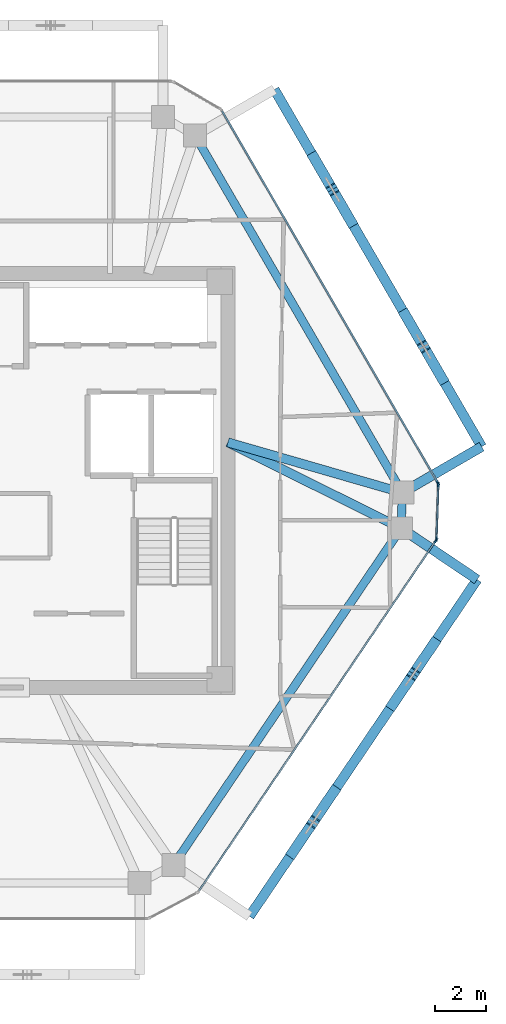
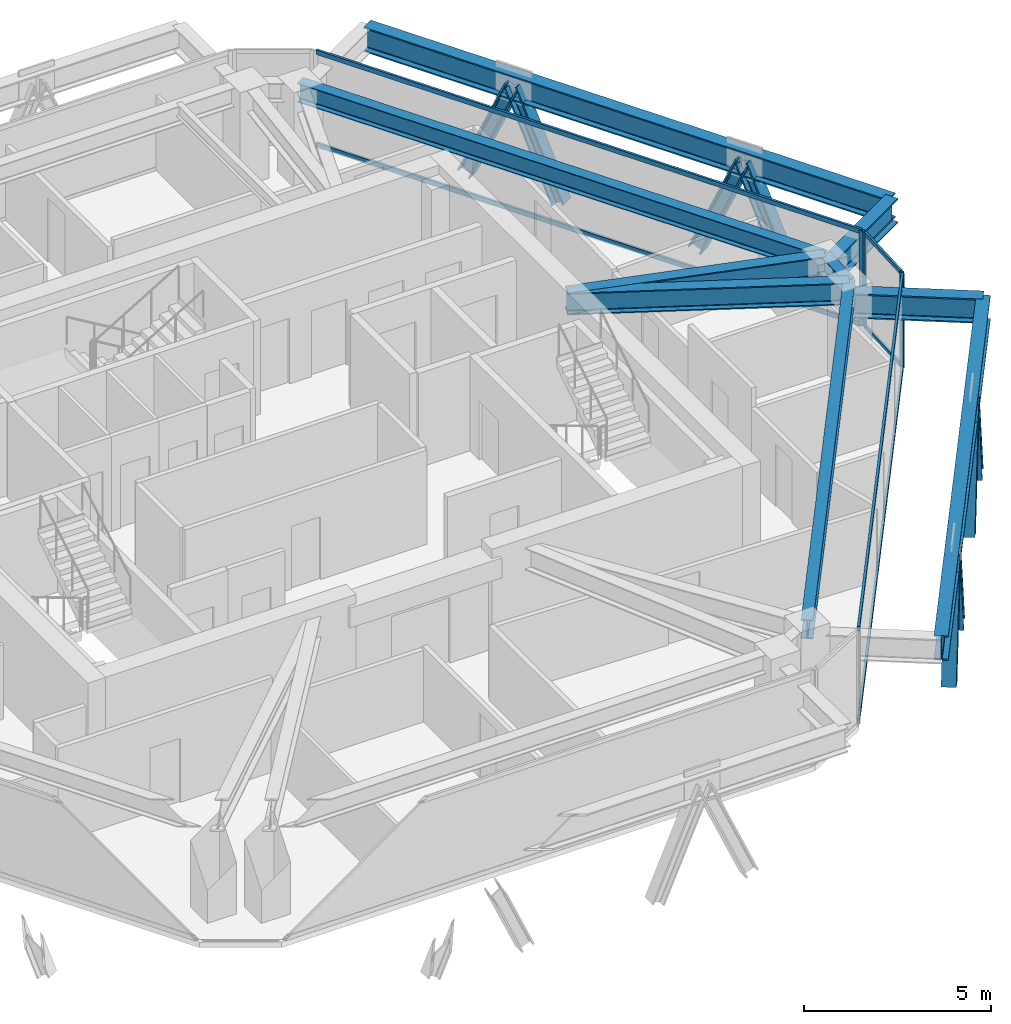
# One storey, part 5 of 14: 18 members, 9 beams, 3 elements without a shape of their own.
"""IFC4 building model written with IfcOpenShell, lengths in metres."""

from ifc_helpers import new_model, si_unit, direction, frame, origin, origin_2d, place, context, subcontext, project, spatial, rectangle, i_section, extrude, source, transform, mapped, material, layer, layer_set, material_profile, profile_set, type_object, type_shapes, element, aggregate, save


model = new_model("IFC4")

# Units and contexts
model_context = context("Model", 3, precision=1e-05, world=origin(), true_north=direction((0.0, 1.0)))
body_context = subcontext(model_context, "Body", "Model", "MODEL_VIEW")
ifc_project = project(units=[si_unit("LENGTHUNIT", "METRE"), si_unit("AREAUNIT", "SQUARE_METRE"), si_unit("VOLUMEUNIT", "CUBIC_METRE"), si_unit("PLANEANGLEUNIT", "RADIAN"), si_unit("MASSUNIT", "GRAM", prefix="KILO")], contexts=[model_context])

# Site, building, storey
site_placement = place(None, origin())
site = spatial("IfcSite", under=ifc_project, at=site_placement, CompositionType="ELEMENT")
building_placement = place(site_placement, origin())
building = spatial("IfcBuilding", under=site, at=building_placement, Name="Durnholm Broadcast Tower", CompositionType="ELEMENT")
storey_placement = place(building_placement, frame((0.0, 0.0, 261.5)))
storey = spatial("IfcBuildingStorey", under=building, at=storey_placement, Name="L73", CompositionType="ELEMENT", Elevation=261.5)

# Beams
ifc_material_1 = material(Name="Steel ASTM A992 Grade 50", Category="steel")
ifc_material_profile_1 = material_profile(ifc_material_1, i_section(OverallWidth=0.385009765625, OverallDepth=0.802978515625, WebThickness=0.023681640625, FlangeThickness=0.0419921875, FilletRadius=0.032958984375, at=origin_2d()), Name="W30X261")
ifc_profile_set_1 = profile_set([ifc_material_profile_1], Name="Steel ASTM A992 Grade 50")
beam_type_1 = type_object("IfcBeamType", Name="BM-EXO-TIE", PredefinedType="USERDEFINED", material=ifc_profile_set_1)
shared_shape_1 = source(origin(), body_context, "Body", "SweptSolid", [
    extrude(i_section(OverallWidth=0.385009765625, OverallDepth=0.802978515625, WebThickness=0.023681640625, FlangeThickness=0.0419921875, FilletRadius=0.032958984375, at=origin_2d()), origin(), (0.0, 0.0, 1.0), 3.4560546875),
])
beam_1_placement = place(storey_placement, frame((17.0947265625, -0.40380859375, 2.348388671875), z_axis=(0.864924479231, 0.501902027518, 0.0), x_axis=(-0.501902027518, 0.864924479231, 0.0)))
element("IfcBeam", 1, at=beam_1_placement, inside=storey, type_object=beam_type_1, Name="L73 exoskeleton stand-off tie bracket F3.1", ObjectType="GIRDER", PredefinedType="USERDEFINED", context=body_context, shape_type="MappedRepresentation", body=[
    mapped(shared_shape_1, transform((0.0, 0.0, 0.0), x_axis=(1.0, 0.0, 0.0), y_axis=(0.0, 1.0, 0.0), z_axis=(0.0, 0.0, 1.0), scale=1.0)),
])
shared_shape_2 = source(origin(), body_context, "Body", "SweptSolid", [
    extrude(i_section(OverallWidth=0.385009765625, OverallDepth=0.802978515625, WebThickness=0.023681640625, FlangeThickness=0.0419921875, FilletRadius=0.032958984375, at=origin_2d()), origin(), (0.0, 0.0, 1.0), 3.455810546875),
])
beam_2_placement = place(storey_placement, frame((17.041748046875, -1.95068359375, 2.348388671875), z_axis=(0.828446342252, -0.560068440469, 0.0), x_axis=(0.560068440469, 0.828446342252, 0.0)))
element("IfcBeam", 2, at=beam_2_placement, inside=storey, type_object=beam_type_1, Name="L73 exoskeleton stand-off tie bracket F2.2", ObjectType="GIRDER", PredefinedType="USERDEFINED", context=body_context, shape_type="MappedRepresentation", body=[
    mapped(shared_shape_2, transform((0.0, 0.0, 0.0), x_axis=(1.0, 0.0, 0.0), y_axis=(0.0, 1.0, 0.0), z_axis=(0.0, 0.0, 1.0), scale=1.0)),
])
ifc_material_profile_2 = material_profile(ifc_material_1, i_section(OverallWidth=0.3251953125, OverallDepth=0.6162109375, WebThickness=0.013916015625, FlangeThickness=0.021484375, FilletRadius=0.02783203125, at=origin_2d()), Name="W24X117")
ifc_profile_set_2 = profile_set([ifc_material_profile_2], Name="Steel ASTM A992 Grade 50")
beam_type_2 = type_object("IfcBeamType", Name="STL-SP-W24X117", PredefinedType="SPANDREL", material=ifc_profile_set_2)
shared_shape_3 = source(origin(), body_context, "Body", "SweptSolid", [
    extrude(i_section(OverallWidth=0.3251953125, OverallDepth=0.6162109375, WebThickness=0.013916015625, FlangeThickness=0.021484375, FilletRadius=0.02783203125, at=origin_2d()), origin(), (0.0, 0.0, 1.0), 1.39453125),
])
beam_3_placement = place(storey_placement, frame((16.97021484375, -0.47607421875, 2.77685546875), z_axis=(-0.034311541846, -0.999411185697, 0.0), x_axis=(0.999411185697, -0.034311541846, 0.0)))
element("IfcBeam", 3, at=beam_3_placement, inside=storey, type_object=beam_type_2, Name="L73 perimeter spandrel girder 08", PredefinedType="SPANDREL", context=body_context, shape_type="MappedRepresentation", body=[
    mapped(shared_shape_3, transform((0.0, 0.0, 0.0), x_axis=(1.0, 0.0, 0.0), y_axis=(0.0, 1.0, 0.0), z_axis=(0.0, 0.0, 1.0), scale=1.0)),
])
shared_shape_4 = source(origin(), body_context, "Body", "SweptSolid", [
    extrude(i_section(OverallWidth=0.3251953125, OverallDepth=0.6162109375, WebThickness=0.013916015625, FlangeThickness=0.021484375, FilletRadius=0.02783203125, at=origin_2d()), origin(), (0.0, 0.0, 1.0), 15.947265625),
])
beam_4_placement = place(storey_placement, frame((16.92236328125, -1.869873046875, 2.77685546875), z_axis=(-0.560062212489, -0.828450552623, 0.0), x_axis=(0.828450552623, -0.560062212489, 0.0)))
element("IfcBeam", 4, at=beam_4_placement, inside=storey, type_object=beam_type_2, Name="L73 perimeter spandrel girder 09", PredefinedType="SPANDREL", context=body_context, shape_type="MappedRepresentation", body=[
    mapped(shared_shape_4, transform((0.0, 0.0, 0.0), x_axis=(1.0, 0.0, 0.0), y_axis=(0.0, 1.0, 0.0), z_axis=(0.0, 0.0, 1.0), scale=1.0)),
])
shared_shape_5 = source(origin(), body_context, "Body", "SweptSolid", [
    extrude(i_section(OverallWidth=0.3251953125, OverallDepth=0.6162109375, WebThickness=0.013916015625, FlangeThickness=0.021484375, FilletRadius=0.02783203125, at=origin_2d()), origin(), (0.0, 0.0, 1.0), 16.20263671875),
])
type_shapes(beam_type_2, [shared_shape_3, shared_shape_4, shared_shape_5])
beam_5_placement = place(storey_placement, frame((8.83740234375, 13.53759765625, 2.77685546875), z_axis=(0.501943573333, -0.864900369516, 0.0), x_axis=(0.864900369516, 0.501943573333, 0.0)))
element("IfcBeam", 5, at=beam_5_placement, inside=storey, type_object=beam_type_2, Name="L73 perimeter spandrel girder 07", PredefinedType="SPANDREL", context=body_context, shape_type="MappedRepresentation", body=[
    mapped(shared_shape_5, transform((0.0, 0.0, 0.0), x_axis=(1.0, 0.0, 0.0), y_axis=(0.0, 1.0, 0.0), z_axis=(0.0, 0.0, 1.0), scale=1.0)),
])
shared_shape_6 = source(origin(), body_context, "Body", "SweptSolid", [
    extrude(i_section(OverallWidth=0.385009765625, OverallDepth=0.802978515625, WebThickness=0.023681640625, FlangeThickness=0.0419921875, FilletRadius=0.032958984375, at=origin_2d()), origin(), (0.0, 0.0, 1.0), 15.947021484375),
])
beam_6_placement = place(storey_placement, frame((10.973388671875, -17.097412109375, 2.348388671875), z_axis=(0.560069315853, 0.828445750451, 0.0), x_axis=(-0.828445750451, 0.560069315853, 0.0)))
element("IfcBeam", 6, at=beam_6_placement, inside=storey, type_object=beam_type_1, Name="L73 exoskeleton collector spandrel F2", PredefinedType="SPANDREL", context=body_context, shape_type="MappedRepresentation", body=[
    mapped(shared_shape_6, transform((0.0, 0.0, 0.0), x_axis=(1.0, 0.0, 0.0), y_axis=(0.0, 1.0, 0.0), z_axis=(0.0, 0.0, 1.0), scale=1.0)),
])
shared_shape_7 = source(origin(), body_context, "Body", "SweptSolid", [
    extrude(i_section(OverallWidth=0.385009765625, OverallDepth=0.802978515625, WebThickness=0.023681640625, FlangeThickness=0.0419921875, FilletRadius=0.032958984375, at=origin_2d()), origin(), (0.0, 0.0, 1.0), 16.202880859375),
])
type_shapes(beam_type_1, [shared_shape_1, shared_shape_2, shared_shape_6, shared_shape_7])
beam_7_placement = place(storey_placement, frame((20.083984375, 1.330810546875, 2.348388671875), z_axis=(-0.501948303381, 0.864897624423, 0.0), x_axis=(-0.864897624423, -0.501948303381, 0.0)))
element("IfcBeam", 7, at=beam_7_placement, inside=storey, type_object=beam_type_1, Name="L73 exoskeleton collector spandrel F3", PredefinedType="SPANDREL", context=body_context, shape_type="MappedRepresentation", body=[
    mapped(shared_shape_7, transform((0.0, 0.0, 0.0), x_axis=(1.0, 0.0, 0.0), y_axis=(0.0, 1.0, 0.0), z_axis=(0.0, 0.0, 1.0), scale=1.0)),
])
ifc_material_profile_3 = material_profile(ifc_material_1, i_section(OverallWidth=0.3564453125, OverallDepth=0.713623046875, WebThickness=0.01904296875, FlangeThickness=0.033935546875, FilletRadius=0.030517578125, at=origin_2d()), Name="W27X194")
ifc_profile_set_3 = profile_set([ifc_material_profile_3], Name="Steel ASTM A992 Grade 50")
beam_type_3 = type_object("IfcBeamType", Name="STL-GR-W27X194", PredefinedType="USERDEFINED", material=ifc_profile_set_3)
shared_shape_8 = source(origin(), body_context, "Body", "SweptSolid", [
    extrude(i_section(OverallWidth=0.3564453125, OverallDepth=0.713623046875, WebThickness=0.01904296875, FlangeThickness=0.033935546875, FilletRadius=0.030517578125, at=origin_2d()), origin(), (0.0, 0.0, 1.0), 7.124755859375),
])
beam_8_placement = place(storey_placement, frame((10.125, 1.5, 2.728271484375), z_axis=(0.960767767054, -0.277354101809, 0.0), x_axis=(0.277354101809, 0.960767767054, 0.0)))
element("IfcBeam", 8, at=beam_8_placement, inside=storey, type_object=beam_type_3, Name="L73 radial primary floor girder 08", ObjectType="GIRDER", PredefinedType="USERDEFINED", context=body_context, shape_type="MappedRepresentation", body=[
    mapped(shared_shape_8, transform((0.0, 0.0, 0.0), x_axis=(1.0, 0.0, 0.0), y_axis=(0.0, 1.0, 0.0), z_axis=(0.0, 0.0, 1.0), scale=1.0)),
])
shared_shape_9 = source(origin(), body_context, "Body", "SweptSolid", [
    extrude(i_section(OverallWidth=0.3564453125, OverallDepth=0.713623046875, WebThickness=0.01904296875, FlangeThickness=0.033935546875, FilletRadius=0.030517578125, at=origin_2d()), origin(), (0.0, 0.0, 1.0), 7.5869140625),
])
type_shapes(beam_type_3, [shared_shape_8, shared_shape_9])
beam_9_placement = place(storey_placement, frame((10.125, 1.5, 2.728271484375), z_axis=(0.895940903598, -0.444173273916, 0.0), x_axis=(0.444173273916, 0.895940903598, 0.0)))
element("IfcBeam", 9, at=beam_9_placement, inside=storey, type_object=beam_type_3, Name="L73 radial primary floor girder 09", ObjectType="GIRDER", PredefinedType="USERDEFINED", context=body_context, shape_type="MappedRepresentation", body=[
    mapped(shared_shape_9, transform((0.0, 0.0, 0.0), x_axis=(1.0, 0.0, 0.0), y_axis=(0.0, 1.0, 0.0), z_axis=(0.0, 0.0, 1.0), scale=1.0)),
])

# Members
ifc_material_2 = material(Name="Steel ASTM A913 Grade 65", Category="steel")
ifc_material_profile_4 = material_profile(ifc_material_2, i_section(OverallWidth=0.40625, OverallDepth=0.416015625, WebThickness=0.02978515625, FlangeThickness=0.048095703125, FilletRadius=0.030517578125, at=origin_2d()), Name="W14X257")
ifc_profile_set_4 = profile_set([ifc_material_profile_4], Name="Steel ASTM A913 Grade 65")
member_type_1 = type_object("IfcMemberType", Name="STL-DG-W14X257", PredefinedType="BRACE", material=ifc_profile_set_4)
shared_shape_10 = source(origin(), body_context, "Body", "SweptSolid", [
    extrude(i_section(OverallWidth=0.40625, OverallDepth=0.416015625, WebThickness=0.02978515625, FlangeThickness=0.048095703125, FilletRadius=0.030517578125, at=origin_2d()), origin(), (0.0, 0.0, 1.0), 3.644287109375),
])
type_shapes(member_type_1, [shared_shape_10])
for number, where, z_axis, x_axis, name in (
    (10, (12.657470703125, -14.6064453125, -0.991455078125), (0.224086200868, 0.331540391059, 0.916442220588), (-0.828505003222, 0.559981660089, 0.0), "L73 stand-off diagrid brace F2.D1.1"),
    (11, (14.290771484375, -12.190185546875, -0.991455078125), (-0.224091177564, -0.331480761311, 0.916462573714), (0.828452496411, -0.560059337206, 0.0), "L73 stand-off diagrid brace F2.D1.2"),
    (12, (16.58740234375, -8.79345703125, -0.991455078125), (0.224086200868, 0.331540391059, 0.916442220588), (-0.828505003222, 0.559981660089, 0.0), "L73 stand-off diagrid brace F2.D2.1"),
    (13, (18.220703125, -6.377197265625, -0.991455078125), (-0.224091177564, -0.331480761311, 0.916462573714), (0.828452496411, -0.560059337206, 0.0), "L73 stand-off diagrid brace F2.D2.2"),
    (14, (18.53857421875, 3.99365234375, -0.991455078125), (-0.200842922221, 0.346082233553, 0.916454695123), (-0.864906184135, -0.501933554014, 0.0), "L73 stand-off diagrid brace F3.D1.1"),
    (15, (17.07470703125, 6.51611328125, -0.991455078125), (0.200842922221, -0.346082233553, 0.916454695123), (0.864906184135, 0.501933554014, 0.0), "L73 stand-off diagrid brace F3.D1.2"),
    (16, (14.960205078125, 10.15966796875, -0.991455078125), (-0.200842922221, 0.346082233553, 0.916454695123), (-0.864906184135, -0.501933554014, 0.0), "L73 stand-off diagrid brace F3.D2.1"),
    (17, (13.496337890625, 12.681884765625, -0.991455078125), (0.200847578444, -0.346023263063, 0.916475941666), (0.864863994925, 0.502006245263, 0.0), "L73 stand-off diagrid brace F3.D2.2"),
):
    element("IfcMember", number, at=place(storey_placement, frame(where, z_axis=z_axis, x_axis=x_axis)), inside=storey, type_object=member_type_1, Name=name, PredefinedType="BRACE", context=body_context, shape_type="MappedRepresentation", body=[
        mapped(shared_shape_10, transform((0.0, 0.0, 0.0), x_axis=(1.0, 0.0, 0.0), y_axis=(0.0, 1.0, 0.0), z_axis=(0.0, 0.0, 1.0), scale=1.0)),
    ])

# Curtain wall, members
ifc_material_3 = material(Name="Aluminium and Solar Control IGU", Category="aluminium")
ifc_layer_1 = layer(ifc_material_3, 0.1650390625)
ifc_layer_set_1 = layer_set([ifc_layer_1], Name="Aluminium and Solar Control IGU")
curtain_wall_type_1 = type_object("IfcCurtainWallType", Name="CW-SYS-5", PredefinedType="NOTDEFINED", material=ifc_layer_set_1)
curtain_wall_1_placement = place(storey_placement, origin())
curtain_wall_1 = element("IfcCurtainWall", 18, at=curtain_wall_1_placement, inside=storey, type_object=curtain_wall_type_1, Name="L73 curtain wall CW-CORNER CW-L73-CRN-07", PredefinedType="NOTDEFINED")
ifc_material_4 = material(Name="Aluminium 6063-T6", Category="aluminium")
ifc_material_profile_5 = material_profile(ifc_material_4, rectangle(XDim=0.06494140625, YDim=0.1298828125, at=origin_2d()), Name="CWT65X130")
ifc_profile_set_5 = profile_set([ifc_material_profile_5], Name="Aluminium 6063-T6")
member_type_2 = type_object("IfcMemberType", Name="CW-SYS-5-TRN", PredefinedType="USERDEFINED", material=ifc_profile_set_5)
shared_shape_11 = source(origin(), body_context, "Body", "SweptSolid", [
    extrude(rectangle(XDim=0.06494140625, YDim=0.1298828125, at=origin_2d()), origin(), (0.0, 0.0, 1.0), 2.06982421875),
])
type_shapes(member_type_2, [shared_shape_11])
member_1_placement = place(storey_placement, frame((18.381103515625, -0.186767578125, 0.032470703125), z_axis=(-0.034324150719, -0.999410752733, 0.0), x_axis=(0.999410752733, -0.034324150719, 0.0)))
member_1 = element("IfcMember", 19, at=member_1_placement, type_object=member_type_2, Name="CW-CORNER transom 1.1", ObjectType="TRANSOM", PredefinedType="USERDEFINED", context=body_context, shape_type="MappedRepresentation", body=[
    mapped(shared_shape_11, transform((0.0, 0.0, 0.0), x_axis=(1.0, 0.0, 0.0), y_axis=(0.0, 1.0, 0.0), z_axis=(0.0, 0.0, 1.0), scale=1.0)),
])
member_2_placement = place(storey_placement, frame((18.381103515625, -0.186767578125, 3.0673828125), z_axis=(-0.034324150719, -0.999410752733, 0.0), x_axis=(0.999410752733, -0.034324150719, 0.0)))
member_2 = element("IfcMember", 20, at=member_2_placement, type_object=member_type_2, Name="CW-CORNER transom 1.2", ObjectType="TRANSOM", PredefinedType="USERDEFINED", context=body_context, shape_type="MappedRepresentation", body=[
    mapped(shared_shape_11, transform((0.0, 0.0, 0.0), x_axis=(1.0, 0.0, 0.0), y_axis=(0.0, 1.0, 0.0), z_axis=(0.0, 0.0, 1.0), scale=1.0)),
])

ifc_layer_2 = layer(ifc_material_3, 0.18994140625)
ifc_layer_set_2 = layer_set([ifc_layer_2], Name="Aluminium and Solar Control IGU")
curtain_wall_type_2 = type_object("IfcCurtainWallType", Name="CW-SYS-4", PredefinedType="NOTDEFINED", material=ifc_layer_set_2)
curtain_wall_2_placement = place(storey_placement, origin())
curtain_wall_2 = element("IfcCurtainWall", 21, at=curtain_wall_2_placement, inside=storey, type_object=curtain_wall_type_2, Name="L73 curtain wall CW-Z34-VIS CW-L73-F08", PredefinedType="NOTDEFINED")
ifc_material_profile_6 = material_profile(ifc_material_4, rectangle(XDim=0.070068359375, YDim=0.14990234375, at=origin_2d()), Name="CWT70X150")
ifc_profile_set_6 = profile_set([ifc_material_profile_6], Name="Aluminium 6063-T6")
member_type_3 = type_object("IfcMemberType", Name="CW-SYS-4-TRN", PredefinedType="USERDEFINED", material=ifc_profile_set_6)
shared_shape_12 = source(origin(), body_context, "Body", "SweptSolid", [
    extrude(rectangle(XDim=0.070068359375, YDim=0.14990234375, at=origin_2d()), origin(), (0.0, 0.0, 1.0), 16.55859375),
])
member_3_placement = place(storey_placement, frame((18.2685546875, -2.37841796875, 0.034912109375), z_axis=(-0.560071338091, -0.828444383317, 0.0), x_axis=(0.828444383317, -0.560071338091, 0.0)))
member_3 = element("IfcMember", 22, at=member_3_placement, type_object=member_type_3, Name="CW-Z34-VIS transom 1.1", ObjectType="TRANSOM", PredefinedType="USERDEFINED", context=body_context, shape_type="MappedRepresentation", body=[
    mapped(shared_shape_12, transform((0.0, 0.0, 0.0), x_axis=(1.0, 0.0, 0.0), y_axis=(0.0, 1.0, 0.0), z_axis=(0.0, 0.0, 1.0), scale=1.0)),
])
member_4_placement = place(storey_placement, frame((18.2685546875, -2.37841796875, 3.06494140625), z_axis=(-0.560071338091, -0.828444383317, 0.0), x_axis=(0.828444383317, -0.560071338091, 0.0)))
member_4 = element("IfcMember", 23, at=member_4_placement, type_object=member_type_3, Name="CW-Z34-VIS transom 1.2", ObjectType="TRANSOM", PredefinedType="USERDEFINED", context=body_context, shape_type="MappedRepresentation", body=[
    mapped(shared_shape_12, transform((0.0, 0.0, 0.0), x_axis=(1.0, 0.0, 0.0), y_axis=(0.0, 1.0, 0.0), z_axis=(0.0, 0.0, 1.0), scale=1.0)),
])

curtain_wall_3_placement = place(storey_placement, origin())
curtain_wall_3 = element("IfcCurtainWall", 24, at=curtain_wall_3_placement, inside=storey, type_object=curtain_wall_type_2, Name="L73 curtain wall CW-Z34-VIS CW-L73-F06", PredefinedType="NOTDEFINED")
shared_shape_13 = source(origin(), body_context, "Body", "SweptSolid", [
    extrude(rectangle(XDim=0.070068359375, YDim=0.14990234375, at=origin_2d()), origin(), (0.0, 0.0, 1.0), 16.83984375),
])
type_shapes(member_type_3, [shared_shape_12, shared_shape_13])
member_5_placement = place(storey_placement, frame((9.8955078125, 14.503662109375, 0.034912109375), z_axis=(0.501945239029, -0.86489940283, 0.0), x_axis=(0.86489940283, 0.501945239029, 0.0)))
member_5 = element("IfcMember", 25, at=member_5_placement, type_object=member_type_3, Name="CW-Z34-VIS transom 1.1", ObjectType="TRANSOM", PredefinedType="USERDEFINED", context=body_context, shape_type="MappedRepresentation", body=[
    mapped(shared_shape_13, transform((0.0, 0.0, 0.0), x_axis=(1.0, 0.0, 0.0), y_axis=(0.0, 1.0, 0.0), z_axis=(0.0, 0.0, 1.0), scale=1.0)),
])
member_6_placement = place(storey_placement, frame((9.8955078125, 14.503662109375, 3.06494140625), z_axis=(0.501945239029, -0.86489940283, 0.0), x_axis=(0.86489940283, 0.501945239029, 0.0)))
member_6 = element("IfcMember", 26, at=member_6_placement, type_object=member_type_3, Name="CW-Z34-VIS transom 1.2", ObjectType="TRANSOM", PredefinedType="USERDEFINED", context=body_context, shape_type="MappedRepresentation", body=[
    mapped(shared_shape_13, transform((0.0, 0.0, 0.0), x_axis=(1.0, 0.0, 0.0), y_axis=(0.0, 1.0, 0.0), z_axis=(0.0, 0.0, 1.0), scale=1.0)),
])

# Member
ifc_material_profile_7 = material_profile(ifc_material_4, rectangle(XDim=0.06494140625, YDim=0.1650390625, at=origin_2d()), Name="CWM65X165")
ifc_profile_set_7 = profile_set([ifc_material_profile_7], Name="Aluminium 6063-T6")
member_type_4 = type_object("IfcMemberType", Name="CW-SYS-5-MUL", PredefinedType="MULLION", material=ifc_profile_set_7)
shared_shape_14 = source(origin(), body_context, "Body", "SweptSolid", [
    extrude(rectangle(XDim=0.06494140625, YDim=0.1650390625, at=origin_2d()), origin(), (0.0, 0.0, 1.0), 3.10009765625),
])
type_shapes(member_type_4, [shared_shape_14])
member_7_placement = place(storey_placement, frame((18.382080078125, -0.154296875, 0.0), z_axis=(0.0, 0.0, 1.0), x_axis=(0.999410955514, -0.034318245849, 0.0)))
member_7 = element("IfcMember", 27, at=member_7_placement, type_object=member_type_4, Name="CW-CORNER mullion 1", PredefinedType="MULLION", context=body_context, shape_type="MappedRepresentation", body=[
    mapped(shared_shape_14, transform((0.0, 0.0, 0.0), x_axis=(1.0, 0.0, 0.0), y_axis=(0.0, 1.0, 0.0), z_axis=(0.0, 0.0, 1.0), scale=1.0)),
])

member_8_placement = place(storey_placement, frame((18.308837890625, -2.287841796875, 0.0), z_axis=(0.0, 0.0, 1.0), x_axis=(0.999410955514, -0.034318245849, 0.0)))
member_8 = element("IfcMember", 28, at=member_8_placement, type_object=member_type_4, Name="CW-CORNER mullion 2", PredefinedType="MULLION", context=body_context, shape_type="MappedRepresentation", body=[
    mapped(shared_shape_14, transform((0.0, 0.0, 0.0), x_axis=(1.0, 0.0, 0.0), y_axis=(0.0, 1.0, 0.0), z_axis=(0.0, 0.0, 1.0), scale=1.0)),
])

aggregate(curtain_wall_1, [member_7, member_8, member_1, member_2])

ifc_material_profile_8 = material_profile(ifc_material_4, rectangle(XDim=0.070068359375, YDim=0.18994140625, at=origin_2d()), Name="CWM70X190")
ifc_profile_set_8 = profile_set([ifc_material_profile_8], Name="Aluminium 6063-T6")
member_type_5 = type_object("IfcMemberType", Name="CW-SYS-4-MUL", PredefinedType="MULLION", material=ifc_profile_set_8)
shared_shape_15 = source(origin(), body_context, "Body", "SweptSolid", [
    extrude(rectangle(XDim=0.070068359375, YDim=0.18994140625, at=origin_2d()), origin(), (0.0, 0.0, 1.0), 3.10009765625),
])
type_shapes(member_type_5, [shared_shape_15])
member_9_placement = place(storey_placement, frame((18.36572265625, -0.09130859375, 0.0), z_axis=(0.0, 0.0, 1.0), x_axis=(0.864899883824, 0.50194441023, 0.0)))
member_9 = element("IfcMember", 29, at=member_9_placement, type_object=member_type_5, Name="CW-Z34-VIS mullion 2", PredefinedType="MULLION", context=body_context, shape_type="MappedRepresentation", body=[
    mapped(shared_shape_15, transform((0.0, 0.0, 0.0), x_axis=(1.0, 0.0, 0.0), y_axis=(0.0, 1.0, 0.0), z_axis=(0.0, 0.0, 1.0), scale=1.0)),
])

aggregate(curtain_wall_3, [member_9, member_5, member_6])

member_10_placement = place(storey_placement, frame((18.2880859375, -2.349365234375, 0.0), z_axis=(0.0, 0.0, 1.0), x_axis=(0.828443431662, -0.560072745753, 0.0)))
member_10 = element("IfcMember", 30, at=member_10_placement, type_object=member_type_5, Name="CW-Z34-VIS mullion 1", PredefinedType="MULLION", context=body_context, shape_type="MappedRepresentation", body=[
    mapped(shared_shape_15, transform((0.0, 0.0, 0.0), x_axis=(1.0, 0.0, 0.0), y_axis=(0.0, 1.0, 0.0), z_axis=(0.0, 0.0, 1.0), scale=1.0)),
])

aggregate(curtain_wall_2, [member_10, member_3, member_4])

save(model, "model.ifc")
